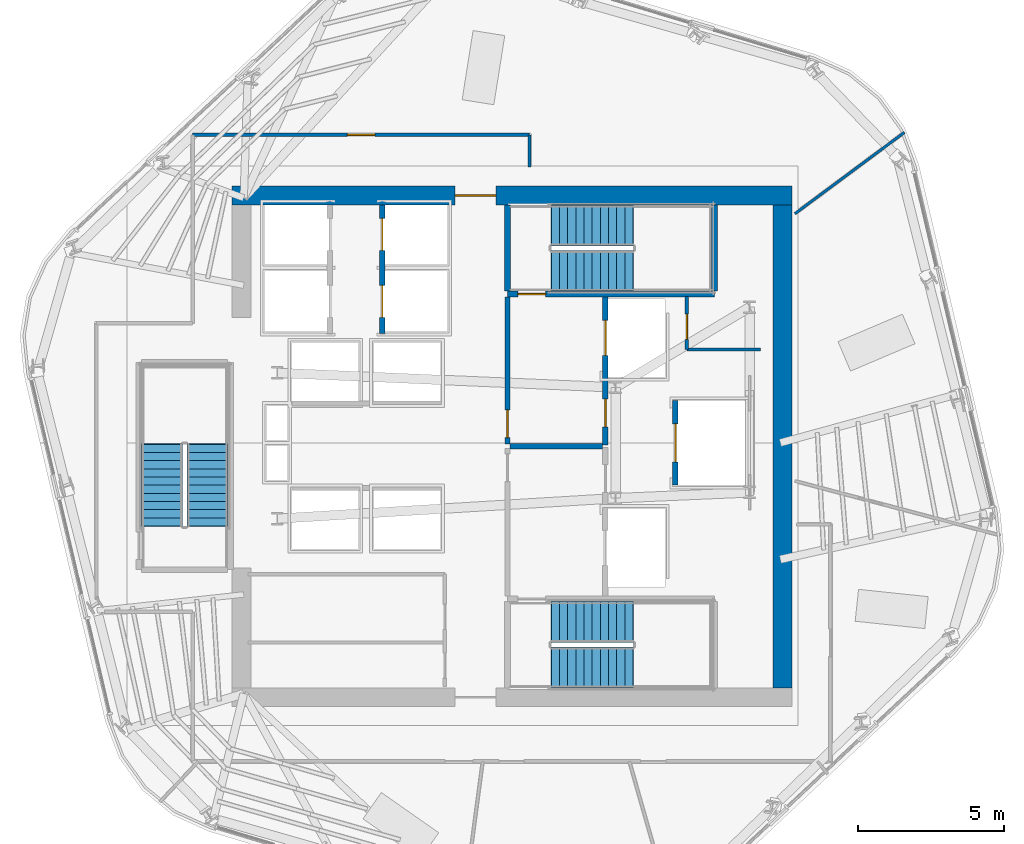
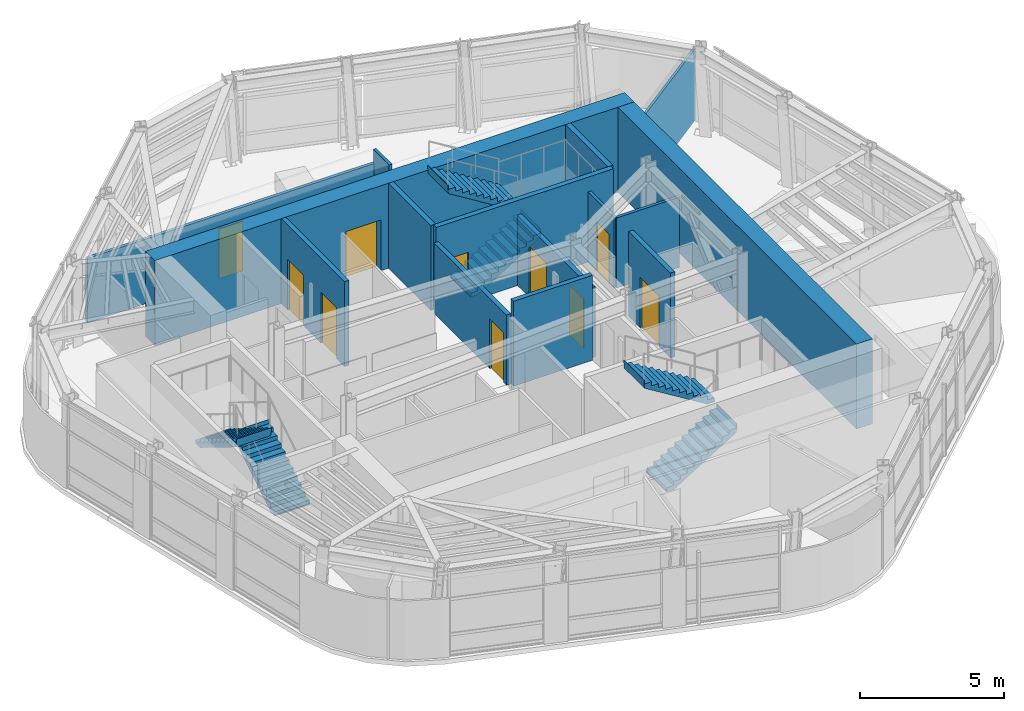
# One storey, part 9 of 14: 15 walls, 10 doors, 6 stair flights, 10 openings, 3 elements without a shape of their own.
"""IFC4 building model written with IfcOpenShell, lengths in metres."""

from ifc_helpers import new_model, si_unit, direction, frame, frame_2d, origin, place, context, subcontext, project, spatial, polyline, rectangle, outline, extrude, material, layer, layer_set, type_object, element, fill, aggregate, save


model = new_model("IFC4")

# Units and contexts
model_context = context("Model", 3, precision=1e-05, world=origin(), true_north=direction((0.0, 1.0)))
body_context = subcontext(model_context, "Body", "Model", "MODEL_VIEW")
ifc_project = project(units=[si_unit("LENGTHUNIT", "METRE"), si_unit("AREAUNIT", "SQUARE_METRE"), si_unit("VOLUMEUNIT", "CUBIC_METRE"), si_unit("PLANEANGLEUNIT", "RADIAN"), si_unit("MASSUNIT", "GRAM", prefix="KILO")], contexts=[model_context])

# Site, building, storey
site_placement = place(None, origin())
site = spatial("IfcSite", under=ifc_project, at=site_placement, CompositionType="ELEMENT")
building_placement = place(site_placement, origin())
building = spatial("IfcBuilding", under=site, at=building_placement, Name="Valkerne Bourse Tower", CompositionType="ELEMENT")
storey_placement = place(building_placement, frame((0.0, 0.0, 209.39990234375)))
storey = spatial("IfcBuildingStorey", under=building, at=storey_placement, Name="L53", CompositionType="ELEMENT", Elevation=209.39990234375)

# Wall, opening, door
ifc_material_1 = material(Name="Concrete C55/67", Category="concrete")
ifc_layer_1 = layer(ifc_material_1, 0.64990234375)
ifc_layer_set_1 = layer_set([ifc_layer_1], Name="Concrete C55/67")
wall_type_1 = type_object("IfcWallType", Name="W-CORE-650", PredefinedType="SHEAR", material=ifc_layer_set_1)
wall_1_placement = place(storey_placement, frame((37.199951171875, 35.47509765625, 0.0), z_axis=(0.0, 0.0, 1.0), x_axis=(1.0, 0.0, 0.0)))
wall_1 = element("IfcWall", 1, at=wall_1_placement, inside=storey, type_object=wall_type_1, Name="L53 Core Shear Wall NORTH", PredefinedType="SHEAR", context=body_context, shape_type="SweptSolid", body=[
    extrude(rectangle(XDim=19.199951171875, YDim=0.64990234375, at=frame_2d((9.60009765625, 0.0))), origin(), (0.0, 0.0, 1.0), 3.60009765625),
])
opening_1_placement = place(wall_1_placement, frame((7.64990234375, 0.0, 0.0)))
opening_1 = element("IfcOpeningElement", 2, at=opening_1_placement, cuts=wall_1, Name="Opening D-PL-1400", PredefinedType="OPENING", context=body_context, shape_type="SweptSolid", body=[
    extrude(rectangle(XDim=1.39990234375, YDim=2.14990234375, at=frame_2d((0.699951171875, 1.074951171875))), frame((0.0, 0.3349609375, 0.0), z_axis=(0.0, -1.0, 0.0), x_axis=(1.0, 0.0, 0.0)), (0.0, 0.0, 1.0), 0.669921875),
])
ifc_material_2 = material(Name="Galvanised Painted Steel", Category="steel")
door_type_1 = type_object("IfcDoorType", Name="DR-PLT-1400", OperationType="DOUBLE_DOOR_SINGLE_SWING", PredefinedType="DOOR", material=ifc_material_2)
door_1_placement = place(opening_1_placement, origin())
door_1 = element("IfcDoor", 3, at=door_1_placement, inside=storey, type_object=door_type_1, Name="L53 North Passenger Lift Hall Fire Door", OperationType="DOUBLE_DOOR_SINGLE_SWING", OverallHeight=2.14990234375, OverallWidth=1.39990234375, PredefinedType="DOOR", context=body_context, shape_type="SweptSolid", body=[
    extrude(rectangle(XDim=1.39990234375, YDim=2.14990234375, at=frame_2d((0.699951171875, 1.074951171875))), frame((0.0, 0.02490234375, 0.0), z_axis=(0.0, -1.0, 0.0), x_axis=(1.0, 0.0, 0.0)), (0.0, 0.0, 1.0), 0.050048828125),
])
fill(opening_1, door_1)

# Wall
wall_2_placement = place(storey_placement, frame((56.074951171875, 18.60009765625, 0.0), z_axis=(0.0, 0.0, 1.0), x_axis=(0.0, 1.0, 0.0)))
element("IfcWall", 4, at=wall_2_placement, inside=storey, type_object=wall_type_1, Name="L53 Core Shear Wall EAST", PredefinedType="SHEAR", context=body_context, shape_type="SweptSolid", body=[
    extrude(rectangle(XDim=16.5498046875, YDim=0.64990234375, at=frame_2d((8.27490234375, 0.0))), origin(), (0.0, 0.0, 1.0), 3.60009765625),
])

# Wall, opening, door
ifc_material_3 = material(Name="Gypsum Board Steel-Stud Partition", Category="steel")
ifc_layer_2 = layer(ifc_material_3, 0.117919921875)
ifc_layer_set_2 = layer_set([ifc_layer_2], Name="Gypsum Board Steel-Stud Partition")
wall_type_2 = type_object("IfcWallType", Name="W-CORR-140", PredefinedType="PARTITIONING", material=ifc_layer_set_2)
wall_3_placement = place(storey_placement, frame((52.800048828125, 30.199951171875, 0.0), z_axis=(0.0, 0.0, 1.0), x_axis=(0.0, 1.0, 0.0)))
wall_3 = element("IfcWall", 5, at=wall_3_placement, inside=storey, type_object=wall_type_2, Name="L53 Core NE Bay West Wall", PredefinedType="PARTITIONING", context=body_context, shape_type="SweptSolid", body=[
    extrude(rectangle(XDim=1.820068359375, YDim=0.117919921875, at=frame_2d((0.91015625, 0.0))), origin(), (0.0, 0.0, 1.0), 2.97802734375),
])
opening_2_placement = place(wall_3_placement, frame((0.35009765625, 0.0, 0.0)))
opening_2 = element("IfcOpeningElement", 6, at=opening_2_placement, cuts=wall_3, Name="Opening D-WC-900", PredefinedType="OPENING", context=body_context, shape_type="SweptSolid", body=[
    extrude(rectangle(XDim=0.860107421875, YDim=2.050048828125, at=frame_2d((0.43017578125, 1.02490234375))), frame((0.0, 0.06884765625, 0.0), z_axis=(0.0, -1.0, 0.0), x_axis=(1.0, 0.0, 0.0)), (0.0, 0.0, 1.0), 0.137939453125),
])
ifc_material_4 = material(Name="Architectural White Oak Timber", Category="wood")
door_type_2 = type_object("IfcDoorType", Name="DR-WC-900", OperationType="NOTDEFINED", PredefinedType="DOOR", material=ifc_material_4)
door_2_placement = place(opening_2_placement, origin())
door_2 = element("IfcDoor", 7, at=door_2_placement, inside=storey, type_object=door_type_2, Name="L53 Electrical Closet Door", OperationType="SINGLE_SWING_RIGHT", OverallHeight=2.050048828125, OverallWidth=0.860107421875, PredefinedType="DOOR", context=body_context, shape_type="SweptSolid", body=[
    extrude(rectangle(XDim=0.860107421875, YDim=2.050048828125, at=frame_2d((0.43017578125, 1.02490234375))), frame((0.0, 0.02490234375, 0.0), z_axis=(0.0, -1.0, 0.0), x_axis=(1.0, 0.0, 0.0)), (0.0, 0.0, 1.0), 0.050048828125),
])
fill(opening_2, door_2)

# Wall
wall_4_placement = place(storey_placement, frame((52.800048828125, 30.199951171875, 0.0), z_axis=(0.0, 0.0, 1.0), x_axis=(1.0, 0.0, 0.0)))
element("IfcWall", 8, at=wall_4_placement, inside=storey, type_object=wall_type_2, Name="L53 Core NE Bay South Wall", PredefinedType="PARTITIONING", context=body_context, shape_type="SweptSolid", body=[
    extrude(rectangle(XDim=2.52001953125, YDim=0.117919921875, at=frame_2d((1.260009765625, 0.0))), origin(), (0.0, 0.0, 1.0), 2.97802734375),
])

# Wall, opening, door
wall_5_placement = place(storey_placement, frame((35.85009765625, 37.56005859375, 0.0), z_axis=(0.0, 0.0, 1.0), x_axis=(1.0, 0.0, 0.0)))
wall_5 = element("IfcWall", 9, at=wall_5_placement, inside=storey, type_object=wall_type_2, Name="L53 Corridor Enclosure Wall", PredefinedType="PARTITIONING", context=body_context, shape_type="SweptSolid", body=[
    extrude(rectangle(XDim=11.5498046875, YDim=0.117919921875, at=frame_2d((5.77490234375, 0.0))), origin(), (0.0, 0.0, 1.0), 2.731689453125),
])
opening_3_placement = place(wall_5_placement, frame((5.300048828125, 0.0, 0.0)))
opening_3 = element("IfcOpeningElement", 10, at=opening_3_placement, cuts=wall_5, Name="Opening D-OF-950", PredefinedType="OPENING", context=body_context, shape_type="SweptSolid", body=[
    extrude(rectangle(XDim=0.949951171875, YDim=2.10009765625, at=frame_2d((0.47509765625, 1.050048828125))), frame((0.0, 0.06884765625, 0.0), z_axis=(0.0, -1.0, 0.0), x_axis=(1.0, 0.0, 0.0)), (0.0, 0.0, 1.0), 0.137939453125),
])
door_type_3 = type_object("IfcDoorType", Name="DR-OFF-950", OperationType="NOTDEFINED", PredefinedType="DOOR", material=ifc_material_4)
door_3_placement = place(opening_3_placement, origin())
door_3 = element("IfcDoor", 11, at=door_3_placement, inside=storey, type_object=door_type_3, Name="L53 L53 Exchange Security Control Room 6 Door", OperationType="SINGLE_SWING_LEFT", OverallHeight=2.10009765625, OverallWidth=0.949951171875, PredefinedType="DOOR", context=body_context, shape_type="SweptSolid", body=[
    extrude(rectangle(XDim=0.949951171875, YDim=2.10009765625, at=frame_2d((0.47509765625, 1.050048828125))), frame((0.0, 0.02490234375, 0.0), z_axis=(0.0, -1.0, 0.0), x_axis=(1.0, 0.0, 0.0)), (0.0, 0.0, 1.0), 0.050048828125),
])
fill(opening_3, door_3)

# Walls
wall_6_placement = place(storey_placement, frame((47.39990234375, 37.56005859375, 0.0), z_axis=(0.0, 0.0, 1.0), x_axis=(0.0, -1.0, 0.0)))
element("IfcWall", 12, at=wall_6_placement, inside=storey, type_object=wall_type_2, Name="L53 Corridor Enclosure Wall", PredefinedType="PARTITIONING", context=body_context, shape_type="SweptSolid", body=[
    extrude(rectangle(XDim=1.10009765625, YDim=0.117919921875, at=frame_2d((0.550048828125, 0.0))), origin(), (0.0, 0.0, 1.0), 3.300048828125),
])
ifc_material_5 = material(Name="Gypsum Fire-Rated Shaftwall", Category="gypsum")
ifc_layer_3 = layer(ifc_material_5, 0.179931640625)
ifc_layer_set_3 = layer_set([ifc_layer_3], Name="Gypsum Fire-Rated Shaftwall")
wall_type_3 = type_object("IfcWallType", Name="W-FSAE-180", PredefinedType="PARTITIONING", material=ifc_layer_set_3)
wall_7_placement = place(storey_placement, frame((46.739990234375, 26.8798828125, 0.0), z_axis=(0.0, 0.0, 1.0), x_axis=(1.0, 0.0, 0.0)))
element("IfcWall", 13, at=wall_7_placement, inside=storey, type_object=wall_type_3, Name="L53 FSAE-1/2 Lobby Dividing Fire Wall", PredefinedType="PARTITIONING", context=body_context, shape_type="SweptSolid", body=[
    extrude(rectangle(XDim=3.169921875, YDim=0.179931640625, at=frame_2d((1.5849609375, 0.0))), origin(), (0.0, 0.0, 1.0), 3.60009765625),
])

# Wall, opening, door
wall_8_placement = place(storey_placement, frame((46.64990234375, 26.9599609375, 0.0), z_axis=(0.0, 0.0, 1.0), x_axis=(0.0, 1.0, 0.0)))
wall_8 = element("IfcWall", 14, at=wall_8_placement, inside=storey, type_object=wall_type_3, Name="L53 FSAE-2 Lobby West Fire Wall", PredefinedType="PARTITIONING", context=body_context, shape_type="SweptSolid", body=[
    extrude(rectangle(XDim=5.0400390625, YDim=0.179931640625, at=frame_2d((2.52001953125, 0.0))), origin(), (0.0, 0.0, 1.0), 2.97802734375),
])
opening_4_placement = place(wall_8_placement, frame((0.219970703125, 0.0, 0.0)))
opening_4 = element("IfcOpeningElement", 15, at=opening_4_placement, cuts=wall_8, Name="Opening D-FS-950", PredefinedType="OPENING", context=body_context, shape_type="SweptSolid", body=[
    extrude(rectangle(XDim=0.949951171875, YDim=2.10009765625, at=frame_2d((0.47509765625, 1.050048828125))), frame((0.0, 0.099853515625, 0.0), z_axis=(0.0, -1.0, 0.0), x_axis=(1.0, 0.0, 0.0)), (0.0, 0.0, 1.0), 0.199951171875),
])
door_type_4 = type_object("IfcDoorType", Name="DR-FSAE-950", OperationType="NOTDEFINED", PredefinedType="DOOR", material=ifc_material_2)
door_4_placement = place(opening_4_placement, origin())
door_4 = element("IfcDoor", 16, at=door_4_placement, inside=storey, type_object=door_type_4, Name="L53 FSAE-2 Hall Link Fire Door", OperationType="SINGLE_SWING_LEFT", OverallHeight=2.10009765625, OverallWidth=0.949951171875, PredefinedType="DOOR", context=body_context, shape_type="SweptSolid", body=[
    extrude(rectangle(XDim=0.949951171875, YDim=2.10009765625, at=frame_2d((0.47509765625, 1.050048828125))), frame((0.0, 0.02490234375, 0.0), z_axis=(0.0, -1.0, 0.0), x_axis=(1.0, 0.0, 0.0)), (0.0, 0.0, 1.0), 0.050048828125),
])
fill(opening_4, door_4)

# Wall, openings, doors
wall_9_placement = place(storey_placement, frame((50.0, 26.919921875, 0.0), z_axis=(0.0, 0.0, 1.0), x_axis=(0.0, 1.0, 0.0)))
wall_9 = element("IfcWall", 17, at=wall_9_placement, inside=storey, type_object=wall_type_3, Name="L53 FSAE-2 Lobby & Shaft Front Wall", PredefinedType="PARTITIONING", context=body_context, shape_type="SweptSolid", body=[
    extrude(rectangle(XDim=5.080078125, YDim=0.179931640625, at=frame_2d((2.5400390625, 0.0))), origin(), (0.0, 0.0, 1.0), 2.97802734375),
])
opening_5_placement = place(wall_9_placement, frame((3.080078125, 0.0, 0.0)))
opening_5 = element("IfcOpeningElement", 18, at=opening_5_placement, cuts=wall_9, Name="Opening LD-1200", PredefinedType="OPENING", context=body_context, shape_type="SweptSolid", body=[
    extrude(rectangle(XDim=1.199951171875, YDim=2.14990234375, at=frame_2d((0.60009765625, 1.074951171875))), frame((0.0, 0.099853515625, 0.0), z_axis=(0.0, -1.0, 0.0), x_axis=(1.0, 0.0, 0.0)), (0.0, 0.0, 1.0), 0.199951171875),
])
opening_6_placement = place(wall_9_placement, frame((0.6298828125, 0.0, 0.0)))
opening_6 = element("IfcOpeningElement", 19, at=opening_6_placement, cuts=wall_9, Name="Opening D-FS-950", PredefinedType="OPENING", context=body_context, shape_type="SweptSolid", body=[
    extrude(rectangle(XDim=0.949951171875, YDim=2.10009765625, at=frame_2d((0.47509765625, 1.050048828125))), frame((0.0, 0.099853515625, 0.0), z_axis=(0.0, -1.0, 0.0), x_axis=(1.0, 0.0, 0.0)), (0.0, 0.0, 1.0), 0.199951171875),
])
door_5_placement = place(opening_6_placement, origin())
door_5 = element("IfcDoor", 20, at=door_5_placement, inside=storey, type_object=door_type_4, Name="L53 FSAE-2 Lobby Corridor Fire Door", OperationType="SINGLE_SWING_RIGHT", OverallHeight=2.10009765625, OverallWidth=0.949951171875, PredefinedType="DOOR", context=body_context, shape_type="SweptSolid", body=[
    extrude(rectangle(XDim=0.949951171875, YDim=2.10009765625, at=frame_2d((0.47509765625, 1.050048828125))), frame((0.0, 0.02490234375, 0.0), z_axis=(0.0, -1.0, 0.0), x_axis=(1.0, 0.0, 0.0)), (0.0, 0.0, 1.0), 0.050048828125),
])
fill(opening_6, door_5)
ifc_material_6 = material(Name="Stainless Steel AISI 316", Category="steel")
door_type_5 = type_object("IfcDoorType", Name="DR-LIFT-1200", OperationType="DOUBLE_DOOR_SLIDING", PredefinedType="DOOR", material=ifc_material_6)
door_6_placement = place(opening_5_placement, origin())
door_6 = element("IfcDoor", 21, at=door_6_placement, inside=storey, type_object=door_type_5, Name="L53 FSAE-2 Firefighting Lift Landing Door", OperationType="DOUBLE_DOOR_SLIDING", OverallHeight=2.14990234375, OverallWidth=1.199951171875, PredefinedType="DOOR", context=body_context, shape_type="SweptSolid", body=[
    extrude(rectangle(XDim=1.199951171875, YDim=2.14990234375, at=frame_2d((0.60009765625, 1.074951171875))), frame((0.0, 0.02490234375, 0.0), z_axis=(0.0, -1.0, 0.0), x_axis=(1.0, 0.0, 0.0)), (0.0, 0.0, 1.0), 0.050048828125),
])
fill(opening_5, door_6)

# Wall, opening, door
ifc_material_7 = material(Name="CMU Blockwork Masonry 200mm", Category="masonry")
ifc_layer_4 = layer(ifc_material_7, 0.179931640625)
ifc_layer_set_4 = layer_set([ifc_layer_4], Name="CMU Blockwork Masonry 200mm")
wall_type_4 = type_object("IfcWallType", Name="W-LFT-180", PredefinedType="SOLIDWALL", material=ifc_layer_set_4)
wall_10_placement = place(storey_placement, frame((52.39990234375, 25.550048828125, 0.0), z_axis=(0.0, 0.0, 1.0), x_axis=(0.0, 1.0, 0.0)))
wall_10 = element("IfcWall", 22, at=wall_10_placement, inside=storey, type_object=wall_type_4, Name="L53 Service Lift SV-1 Front Wall", PredefinedType="SOLIDWALL", context=body_context, shape_type="SweptSolid", body=[
    extrude(rectangle(XDim=2.89990234375, YDim=0.179931640625, at=frame_2d((1.449951171875, 0.0))), origin(), (0.0, 0.0, 1.0), 3.60009765625),
])
opening_7_placement = place(wall_10_placement, frame((0.800048828125, 0.0, 0.0)))
opening_7 = element("IfcOpeningElement", 23, at=opening_7_placement, cuts=wall_10, Name="Opening LD-1300", PredefinedType="OPENING", context=body_context, shape_type="SweptSolid", body=[
    extrude(rectangle(XDim=1.300048828125, YDim=2.14990234375, at=frame_2d((0.64990234375, 1.074951171875))), frame((0.0, 0.099853515625, 0.0), z_axis=(0.0, -1.0, 0.0), x_axis=(1.0, 0.0, 0.0)), (0.0, 0.0, 1.0), 0.199951171875),
])
door_type_6 = type_object("IfcDoorType", Name="DR-LIFT-1300", OperationType="DOUBLE_DOOR_SLIDING", PredefinedType="DOOR", material=ifc_material_6)
door_7_placement = place(opening_7_placement, origin())
door_7 = element("IfcDoor", 24, at=door_7_placement, inside=storey, type_object=door_type_6, Name="L53 Service Lift SV-1 Landing Door", OperationType="DOUBLE_DOOR_SLIDING", OverallHeight=2.14990234375, OverallWidth=1.300048828125, PredefinedType="DOOR", context=body_context, shape_type="SweptSolid", body=[
    extrude(rectangle(XDim=1.300048828125, YDim=2.14990234375, at=frame_2d((0.64990234375, 1.074951171875))), frame((0.0, 0.02490234375, 0.0), z_axis=(0.0, -1.0, 0.0), x_axis=(1.0, 0.0, 0.0)), (0.0, 0.0, 1.0), 0.050048828125),
])
fill(opening_7, door_7)

# Wall, openings, doors
wall_11_placement = place(storey_placement, frame((42.35009765625, 30.75, 0.0), z_axis=(0.0, 0.0, 1.0), x_axis=(0.0, 1.0, 0.0)))
wall_11 = element("IfcWall", 25, at=wall_11_placement, inside=storey, type_object=wall_type_4, Name="L53 Mid-Zone East Cars Front Wall", PredefinedType="SOLIDWALL", context=body_context, shape_type="SweptSolid", body=[
    extrude(rectangle(XDim=4.39990234375, YDim=0.179931640625, at=frame_2d((2.199951171875, 0.0))), origin(), (0.0, 0.0, 1.0), 3.60009765625),
])
opening_8_placement = place(wall_11_placement, frame((0.550048828125, 0.0, 0.0)))
opening_8 = element("IfcOpeningElement", 26, at=opening_8_placement, cuts=wall_11, Name="Opening LD-1100", PredefinedType="OPENING", context=body_context, shape_type="SweptSolid", body=[
    extrude(rectangle(XDim=1.10009765625, YDim=2.14990234375, at=frame_2d((0.550048828125, 1.074951171875))), frame((0.0, 0.099853515625, 0.0), z_axis=(0.0, -1.0, 0.0), x_axis=(1.0, 0.0, 0.0)), (0.0, 0.0, 1.0), 0.199951171875),
])
opening_9_placement = place(wall_11_placement, frame((2.85009765625, 0.0, 0.0)))
opening_9 = element("IfcOpeningElement", 27, at=opening_9_placement, cuts=wall_11, Name="Opening LD-1100", PredefinedType="OPENING", context=body_context, shape_type="SweptSolid", body=[
    extrude(rectangle(XDim=1.10009765625, YDim=2.14990234375, at=frame_2d((0.550048828125, 1.074951171875))), frame((0.0, 0.099853515625, 0.0), z_axis=(0.0, -1.0, 0.0), x_axis=(1.0, 0.0, 0.0)), (0.0, 0.0, 1.0), 0.199951171875),
])
door_type_7 = type_object("IfcDoorType", Name="DR-LIFT-1100", OperationType="DOUBLE_DOOR_SLIDING", PredefinedType="DOOR", material=ifc_material_6)
door_8_placement = place(opening_8_placement, origin())
door_8 = element("IfcDoor", 28, at=door_8_placement, inside=storey, type_object=door_type_7, Name="L53 Passenger Lift PL-M3 Sliding Landing Door", OperationType="DOUBLE_DOOR_SLIDING", OverallHeight=2.14990234375, OverallWidth=1.10009765625, PredefinedType="DOOR", context=body_context, shape_type="SweptSolid", body=[
    extrude(rectangle(XDim=1.10009765625, YDim=2.14990234375, at=frame_2d((0.550048828125, 1.074951171875))), frame((0.0, 0.02490234375, 0.0), z_axis=(0.0, -1.0, 0.0), x_axis=(1.0, 0.0, 0.0)), (0.0, 0.0, 1.0), 0.050048828125),
])
fill(opening_8, door_8)
door_9_placement = place(opening_9_placement, origin())
door_9 = element("IfcDoor", 29, at=door_9_placement, inside=storey, type_object=door_type_7, Name="L53 Passenger Lift PL-M4 Sliding Landing Door", OperationType="DOUBLE_DOOR_SLIDING", OverallHeight=2.14990234375, OverallWidth=1.10009765625, PredefinedType="DOOR", context=body_context, shape_type="SweptSolid", body=[
    extrude(rectangle(XDim=1.10009765625, YDim=2.14990234375, at=frame_2d((0.550048828125, 1.074951171875))), frame((0.0, 0.02490234375, 0.0), z_axis=(0.0, -1.0, 0.0), x_axis=(1.0, 0.0, 0.0)), (0.0, 0.0, 1.0), 0.050048828125),
])
fill(opening_9, door_9)

# Wall
ifc_layer_5 = layer(ifc_material_3, 0.092041015625)
ifc_layer_set_5 = layer_set([ifc_layer_5], Name="Gypsum Board Steel-Stud Partition")
wall_type_5 = type_object("IfcWallType", Name="W-PART-115", PredefinedType="PARTITIONING", material=ifc_layer_set_5)
wall_12_placement = place(storey_placement, frame((56.5, 34.8564453125, 0.0), z_axis=(0.0, 0.0, 1.0), x_axis=(0.802907175895, 0.59610407388, 0.0)))
element("IfcWall", 30, at=wall_12_placement, inside=storey, type_object=wall_type_5, Name="L53 Suite Partition P05", PredefinedType="PARTITIONING", context=body_context, shape_type="SweptSolid", body=[
    extrude(rectangle(XDim=4.680908203125, YDim=0.092041015625, at=frame_2d((2.34033203125, 0.0))), origin(), (0.0, 0.0, 1.0), 3.036376953125),
])

# Wall, opening, door
ifc_material_8 = material(Name="Concrete C40/50", Category="concrete")
ifc_layer_6 = layer(ifc_material_8, 0.199951171875)
ifc_layer_set_6 = layer_set([ifc_layer_6], Name="Concrete C40/50")
wall_type_6 = type_object("IfcWallType", Name="W-SHF-200", PredefinedType="SHEAR", material=ifc_layer_set_6)
wall_13_placement = place(storey_placement, frame((46.64990234375, 32.10009765625, 0.0), z_axis=(0.0, 0.0, 1.0), x_axis=(1.0, 0.0, 0.0)))
wall_13 = element("IfcWall", 31, at=wall_13_placement, inside=storey, type_object=wall_type_6, Name="L53 Exit Stair ST-2 Structural Shaft Wall South", PredefinedType="SHEAR", context=body_context, shape_type="SweptSolid", body=[
    extrude(rectangle(XDim=7.10009765625, YDim=0.199951171875, at=frame_2d((3.550048828125, 0.0))), origin(), (0.0, 0.0, 1.0), 3.60009765625),
])
opening_10_placement = place(wall_13_placement, frame((0.35009765625, 0.0, 0.0)))
opening_10 = element("IfcOpeningElement", 32, at=opening_10_placement, cuts=wall_13, Name="Opening D-ST-950", PredefinedType="OPENING", context=body_context, shape_type="SweptSolid", body=[
    extrude(rectangle(XDim=0.949951171875, YDim=2.10009765625, at=frame_2d((0.47509765625, 1.050048828125))), frame((0.0, 0.10986328125, 0.0), z_axis=(0.0, -1.0, 0.0), x_axis=(1.0, 0.0, 0.0)), (0.0, 0.0, 1.0), 0.219970703125),
])
door_type_8 = type_object("IfcDoorType", Name="DR-STAIR-950", OperationType="NOTDEFINED", PredefinedType="DOOR", material=ifc_material_2)
door_10_placement = place(opening_10_placement, origin())
door_10 = element("IfcDoor", 33, at=door_10_placement, inside=storey, type_object=door_type_8, Name="L53 Exit Stair ST-2 Door", OperationType="SINGLE_SWING_LEFT", OverallHeight=2.10009765625, OverallWidth=0.949951171875, PredefinedType="DOOR", context=body_context, shape_type="SweptSolid", body=[
    extrude(rectangle(XDim=0.949951171875, YDim=2.10009765625, at=frame_2d((0.47509765625, 1.050048828125))), frame((0.0, 0.02490234375, 0.0), z_axis=(0.0, -1.0, 0.0), x_axis=(1.0, 0.0, 0.0)), (0.0, 0.0, 1.0), 0.050048828125),
])
fill(opening_10, door_10)

# Walls
for number, where, z_axis, x_axis, name in (
    (34, (46.64990234375, 32.199951171875, 0.0), (0.0, 0.0, 1.0), (0.0, 1.0, 0.0), "L53 Exit Stair ST-2 Structural Shaft Wall West"),
    (35, (53.75, 32.199951171875, 0.0), (0.0, 0.0, 1.0), (0.0, 1.0, 0.0), "L53 Exit Stair ST-2 Structural Shaft Wall East"),
):
    element("IfcWall", number, at=place(storey_placement, frame(where, z_axis=z_axis, x_axis=x_axis)), inside=storey, type_object=wall_type_6, Name=name, PredefinedType="SHEAR", context=body_context, shape_type="SweptSolid", body=[
        extrude(rectangle(XDim=2.949951171875, YDim=0.199951171875, at=frame_2d((1.47509765625, 0.0))), origin(), (0.0, 0.0, 1.0), 3.60009765625),
    ])

# Stair, stair flights
stair_type = type_object("IfcStairType", Name="ST-CORE-1400", PredefinedType="HALF_TURN_STAIR", material=ifc_material_8)
stair_1_placement = place(storey_placement, origin())
stair_1 = element("IfcStair", 36, at=stair_1_placement, inside=storey, type_object=stair_type, Name="L53 ST-1", PredefinedType="HALF_TURN_STAIR")
stair_flight_type = type_object("IfcStairFlightType", Name="STF-CORE-1400", PredefinedType="STRAIGHT", material=ifc_material_8)
stair_flight_1_placement = place(storey_placement, frame((48.14990234375, 19.300048828125, 0.0), z_axis=(0.0, 0.0, 1.0), x_axis=(1.0, 0.0, 0.0)))
stair_flight_1 = element("IfcStairFlight", 37, at=stair_flight_1_placement, type_object=stair_flight_type, Name="ST-1 flight 1", NumberOfRisers=11, NumberOfTreads=10, PredefinedType="STRAIGHT", RiserHeight=0.172727273, TreadLength=0.28, context=body_context, shape_type="SweptSolid", body=[
    extrude(outline(polyline([(-0.02001953125, 0.0), (-0.02001953125, 0.044921875), (0.0, 0.044921875), (0.0, 0.172607421875), (0.280029296875, 0.172607421875), (0.280029296875, 0.345458984375), (0.56005859375, 0.345458984375), (0.56005859375, 0.51806640625), (0.840087890625, 0.51806640625), (0.840087890625, 0.69091796875), (1.1201171875, 0.69091796875), (1.1201171875, 0.863525390625), (1.39990234375, 0.863525390625), (1.39990234375, 1.036376953125), (1.679931640625, 1.036376953125), (1.679931640625, 1.208984375), (1.9599609375, 1.208984375), (1.9599609375, 1.3818359375), (2.239990234375, 1.3818359375), (2.239990234375, 1.554443359375), (2.52001953125, 1.554443359375), (2.52001953125, 1.727294921875), (2.800048828125, 1.727294921875), (2.800048828125, 1.89990234375), (2.820068359375, 1.89990234375), (2.820068359375, 1.780029296875), (2.800048828125, 1.551025390625), (0.285400390625, 0.0), (-0.02001953125, 0.0)])), frame((0.0, 0.699951171875, 0.0), z_axis=(0.0, -1.0, 0.0), x_axis=(1.0, 0.0, 0.0)), (0.0, 0.0, 1.0), 1.39990234375),
])
stair_flight_2_placement = place(storey_placement, frame((50.949951171875, 20.85009765625, 1.900146484375), z_axis=(0.0, 0.0, 1.0), x_axis=(-1.0, 0.0, 0.0)))
stair_flight_2 = element("IfcStairFlight", 38, at=stair_flight_2_placement, type_object=stair_flight_type, Name="ST-1 flight 2", NumberOfRisers=11, NumberOfTreads=10, PredefinedType="STRAIGHT", RiserHeight=0.172727273, TreadLength=0.28, context=body_context, shape_type="SweptSolid", body=[
    extrude(outline(polyline([(-0.02001953125, 0.0), (-0.02001953125, 0.044921875), (0.0, 0.044921875), (0.0, 0.172607421875), (0.280029296875, 0.172607421875), (0.280029296875, 0.345458984375), (0.56005859375, 0.345458984375), (0.56005859375, 0.51806640625), (0.840087890625, 0.51806640625), (0.840087890625, 0.69091796875), (1.1201171875, 0.69091796875), (1.1201171875, 0.863525390625), (1.39990234375, 0.863525390625), (1.39990234375, 1.036376953125), (1.679931640625, 1.036376953125), (1.679931640625, 1.208984375), (1.9599609375, 1.208984375), (1.9599609375, 1.3818359375), (2.239990234375, 1.3818359375), (2.239990234375, 1.554443359375), (2.52001953125, 1.554443359375), (2.52001953125, 1.727294921875), (2.800048828125, 1.727294921875), (2.800048828125, 1.89990234375), (2.820068359375, 1.89990234375), (2.820068359375, 1.780029296875), (2.800048828125, 1.551025390625), (0.285400390625, 0.0), (-0.02001953125, 0.0)])), frame((0.0, 0.699951171875, 0.0), z_axis=(0.0, -1.0, 0.0), x_axis=(1.0, 0.0, 0.0)), (0.0, 0.0, 1.0), 1.39990234375),
])
aggregate(stair_1, [stair_flight_1, stair_flight_2])

stair_2_placement = place(storey_placement, origin())
stair_2 = element("IfcStair", 39, at=stair_2_placement, inside=storey, type_object=stair_type, Name="L53 ST-2", PredefinedType="HALF_TURN_STAIR")
stair_flight_3_placement = place(storey_placement, frame((48.14990234375, 32.89990234375, 0.0), z_axis=(0.0, 0.0, 1.0), x_axis=(1.0, 0.0, 0.0)))
stair_flight_3 = element("IfcStairFlight", 40, at=stair_flight_3_placement, type_object=stair_flight_type, Name="ST-2 flight 1", NumberOfRisers=11, NumberOfTreads=10, PredefinedType="STRAIGHT", RiserHeight=0.172727273, TreadLength=0.28, context=body_context, shape_type="SweptSolid", body=[
    extrude(outline(polyline([(-0.02001953125, 0.0), (-0.02001953125, 0.044921875), (0.0, 0.044921875), (0.0, 0.172607421875), (0.280029296875, 0.172607421875), (0.280029296875, 0.345458984375), (0.56005859375, 0.345458984375), (0.56005859375, 0.51806640625), (0.840087890625, 0.51806640625), (0.840087890625, 0.69091796875), (1.1201171875, 0.69091796875), (1.1201171875, 0.863525390625), (1.39990234375, 0.863525390625), (1.39990234375, 1.036376953125), (1.679931640625, 1.036376953125), (1.679931640625, 1.208984375), (1.9599609375, 1.208984375), (1.9599609375, 1.3818359375), (2.239990234375, 1.3818359375), (2.239990234375, 1.554443359375), (2.52001953125, 1.554443359375), (2.52001953125, 1.727294921875), (2.800048828125, 1.727294921875), (2.800048828125, 1.89990234375), (2.820068359375, 1.89990234375), (2.820068359375, 1.780029296875), (2.800048828125, 1.551025390625), (0.285400390625, 0.0), (-0.02001953125, 0.0)])), frame((0.0, 0.699951171875, 0.0), z_axis=(0.0, -1.0, 0.0), x_axis=(1.0, 0.0, 0.0)), (0.0, 0.0, 1.0), 1.39990234375),
])
stair_flight_4_placement = place(storey_placement, frame((50.949951171875, 34.449951171875, 1.900146484375), z_axis=(0.0, 0.0, 1.0), x_axis=(-1.0, 0.0, 0.0)))
stair_flight_4 = element("IfcStairFlight", 41, at=stair_flight_4_placement, type_object=stair_flight_type, Name="ST-2 flight 2", NumberOfRisers=11, NumberOfTreads=10, PredefinedType="STRAIGHT", RiserHeight=0.172727273, TreadLength=0.28, context=body_context, shape_type="SweptSolid", body=[
    extrude(outline(polyline([(-0.02001953125, 0.0), (-0.02001953125, 0.044921875), (0.0, 0.044921875), (0.0, 0.172607421875), (0.280029296875, 0.172607421875), (0.280029296875, 0.345458984375), (0.56005859375, 0.345458984375), (0.56005859375, 0.51806640625), (0.840087890625, 0.51806640625), (0.840087890625, 0.69091796875), (1.1201171875, 0.69091796875), (1.1201171875, 0.863525390625), (1.39990234375, 0.863525390625), (1.39990234375, 1.036376953125), (1.679931640625, 1.036376953125), (1.679931640625, 1.208984375), (1.9599609375, 1.208984375), (1.9599609375, 1.3818359375), (2.239990234375, 1.3818359375), (2.239990234375, 1.554443359375), (2.52001953125, 1.554443359375), (2.52001953125, 1.727294921875), (2.800048828125, 1.727294921875), (2.800048828125, 1.89990234375), (2.820068359375, 1.89990234375), (2.820068359375, 1.780029296875), (2.800048828125, 1.551025390625), (0.285400390625, 0.0), (-0.02001953125, 0.0)])), frame((0.0, 0.699951171875, 0.0), z_axis=(0.0, -1.0, 0.0), x_axis=(1.0, 0.0, 0.0)), (0.0, 0.0, 1.0), 1.39990234375),
])
aggregate(stair_2, [stair_flight_3, stair_flight_4])

stair_3_placement = place(storey_placement, origin())
stair_3 = element("IfcStair", 42, at=stair_3_placement, inside=storey, type_object=stair_type, Name="L53 ST-3", PredefinedType="HALF_TURN_STAIR")
stair_flight_5_placement = place(storey_placement, frame((36.35009765625, 24.14990234375, 0.0), z_axis=(0.0, 0.0, 1.0), x_axis=(0.0, 1.0, 0.0)))
stair_flight_5 = element("IfcStairFlight", 43, at=stair_flight_5_placement, type_object=stair_flight_type, Name="ST-3 flight 1", NumberOfRisers=11, NumberOfTreads=10, PredefinedType="STRAIGHT", RiserHeight=0.172727273, TreadLength=0.28, context=body_context, shape_type="SweptSolid", body=[
    extrude(outline(polyline([(-0.02001953125, 0.0), (-0.02001953125, 0.044921875), (0.0, 0.044921875), (0.0, 0.172607421875), (0.280029296875, 0.172607421875), (0.280029296875, 0.345458984375), (0.56005859375, 0.345458984375), (0.56005859375, 0.51806640625), (0.840087890625, 0.51806640625), (0.840087890625, 0.69091796875), (1.1201171875, 0.69091796875), (1.1201171875, 0.863525390625), (1.39990234375, 0.863525390625), (1.39990234375, 1.036376953125), (1.679931640625, 1.036376953125), (1.679931640625, 1.208984375), (1.9599609375, 1.208984375), (1.9599609375, 1.3818359375), (2.239990234375, 1.3818359375), (2.239990234375, 1.554443359375), (2.52001953125, 1.554443359375), (2.52001953125, 1.727294921875), (2.800048828125, 1.727294921875), (2.800048828125, 1.89990234375), (2.820068359375, 1.89990234375), (2.820068359375, 1.780029296875), (2.800048828125, 1.551025390625), (0.285400390625, 0.0), (-0.02001953125, 0.0)])), frame((0.0, 0.699951171875, 0.0), z_axis=(0.0, -1.0, 0.0), x_axis=(1.0, 0.0, 0.0)), (0.0, 0.0, 1.0), 1.39990234375),
])
stair_flight_6_placement = place(storey_placement, frame((34.800048828125, 26.949951171875, 1.900146484375), z_axis=(0.0, 0.0, 1.0), x_axis=(0.0, -1.0, 0.0)))
stair_flight_6 = element("IfcStairFlight", 44, at=stair_flight_6_placement, type_object=stair_flight_type, Name="ST-3 flight 2", NumberOfRisers=11, NumberOfTreads=10, PredefinedType="STRAIGHT", RiserHeight=0.172727273, TreadLength=0.28, context=body_context, shape_type="SweptSolid", body=[
    extrude(outline(polyline([(-0.02001953125, 0.0), (-0.02001953125, 0.044921875), (0.0, 0.044921875), (0.0, 0.172607421875), (0.280029296875, 0.172607421875), (0.280029296875, 0.345458984375), (0.56005859375, 0.345458984375), (0.56005859375, 0.51806640625), (0.840087890625, 0.51806640625), (0.840087890625, 0.69091796875), (1.1201171875, 0.69091796875), (1.1201171875, 0.863525390625), (1.39990234375, 0.863525390625), (1.39990234375, 1.036376953125), (1.679931640625, 1.036376953125), (1.679931640625, 1.208984375), (1.9599609375, 1.208984375), (1.9599609375, 1.3818359375), (2.239990234375, 1.3818359375), (2.239990234375, 1.554443359375), (2.52001953125, 1.554443359375), (2.52001953125, 1.727294921875), (2.800048828125, 1.727294921875), (2.800048828125, 1.89990234375), (2.820068359375, 1.89990234375), (2.820068359375, 1.780029296875), (2.800048828125, 1.551025390625), (0.285400390625, 0.0), (-0.02001953125, 0.0)])), frame((0.0, 0.699951171875, 0.0), z_axis=(0.0, -1.0, 0.0), x_axis=(1.0, 0.0, 0.0)), (0.0, 0.0, 1.0), 1.39990234375),
])
aggregate(stair_3, [stair_flight_5, stair_flight_6])

save(model, "model.ifc")
